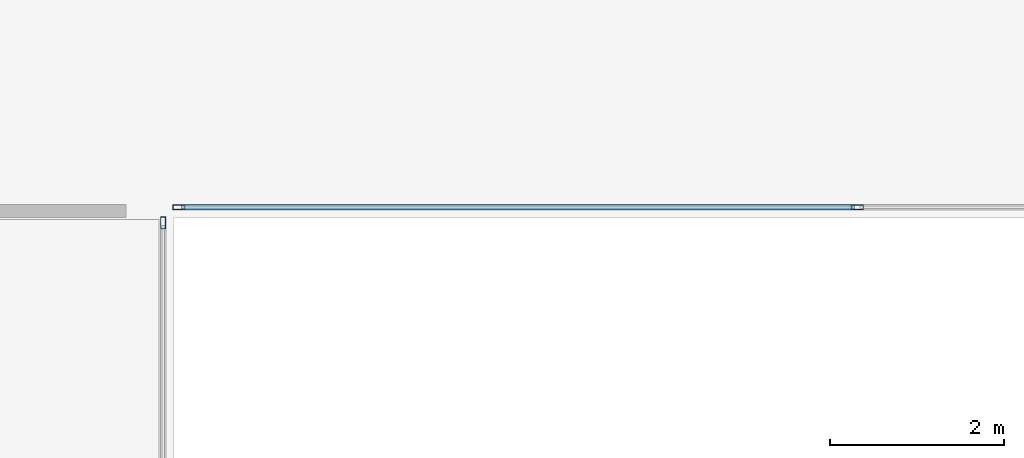
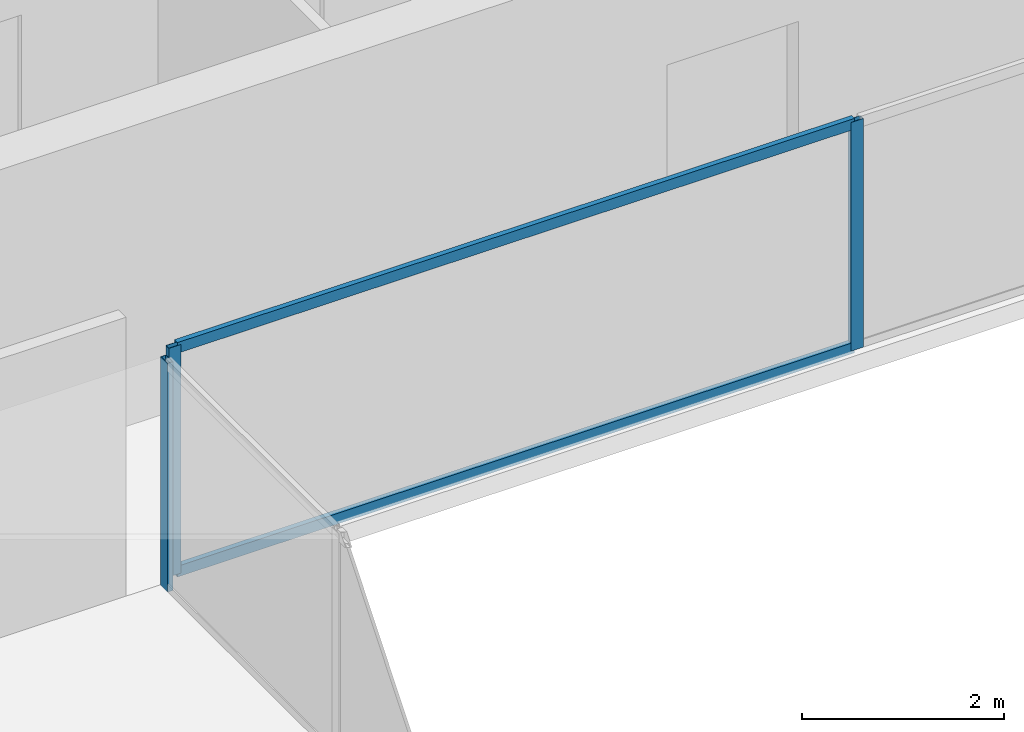
# One storey, part 10 of 28: 5 members, 2 elements without a shape of their own.
"""IFC4 building model written with IfcOpenShell, lengths in metres."""

from ifc_helpers import new_model, si_unit, direction, frame, origin, origin_2d, place, context, subcontext, project, spatial, hollow_rectangle, extrude, source, transform, mapped, material, layer, layer_set, material_profile, profile_set, type_object, element, aggregate, save


model = new_model("IFC4")

# Units and contexts
model_context = context("Model", 3, precision=1e-05, world=origin(), true_north=direction((0.0, 1.0)))
body_context = subcontext(model_context, "Body", "Model", "MODEL_VIEW")
ifc_project = project(units=[si_unit("LENGTHUNIT", "METRE"), si_unit("AREAUNIT", "SQUARE_METRE"), si_unit("VOLUMEUNIT", "CUBIC_METRE"), si_unit("PLANEANGLEUNIT", "RADIAN"), si_unit("MASSUNIT", "GRAM", prefix="KILO")], contexts=[model_context])

# Site, building, storey
site_placement = place(None, origin())
site = spatial("IfcSite", under=ifc_project, at=site_placement, CompositionType="ELEMENT")
building_placement = place(site_placement, origin())
building = spatial("IfcBuilding", under=site, at=building_placement, Name="Sumidabori Civic Tower", CompositionType="ELEMENT")
storey_placement = place(building_placement, frame((0.0, 0.0, 210.800048828125)))
storey = spatial("IfcBuildingStorey", under=building, at=storey_placement, Name="L54", CompositionType="ELEMENT", Elevation=210.800048828125)

# Curtain wall, member
ifc_material = material(Name="Anodised Bronze Aluminium AW-6063-T6", Category="aluminium")
ifc_layer = layer(ifc_material, 0.179931640625, Name="Anodised Bronze Aluminium AW-6063-T6")
ifc_layer_set = layer_set([ifc_layer], Name="Anodised Bronze Aluminium AW-6063-T6")
curtain_wall_type = type_object("IfcCurtainWallType", Name="CW-SYS-4", PredefinedType="NOTDEFINED", material=ifc_layer_set)
curtain_wall_1_placement = place(storey_placement, origin())
curtain_wall_1 = element("IfcCurtainWall", 1, at=curtain_wall_1_placement, inside=storey, type_object=curtain_wall_type, Name="Curtain Wall CW:L54:R04", PredefinedType="NOTDEFINED")
ifc_material_profile_1 = material_profile(ifc_material, hollow_rectangle(XDim=0.06005859375, YDim=0.139892578125, WallThickness=0.0048828125, at=origin_2d()), Name="ALU MULLION 140x60")
ifc_profile_set_1 = profile_set([ifc_material_profile_1], Name="Anodised Bronze Aluminium AW-6063-T6")
member_type_1 = type_object("IfcMemberType", Name="CW-MUL-140", PredefinedType="MULLION", material=ifc_profile_set_1)
shared_shape_1 = source(origin(), body_context, "Body", "SweptSolid", [
    extrude(hollow_rectangle(XDim=0.06005859375, YDim=0.139892578125, WallThickness=0.0048828125, at=origin_2d()), origin(), (0.0, 0.0, 1.0), 2.760009765625),
])
member_1_placement = place(storey_placement, frame((-7.969970703125, 7.340087890625, 0.0), z_axis=(0.0, 0.0, 1.0), x_axis=(-1.0, 0.0, 0.0)))
member_1 = element("IfcMember", 2, at=member_1_placement, type_object=member_type_1, Name="CW-4 mullion 3", PredefinedType="MULLION", context=body_context, shape_type="MappedRepresentation", body=[
    mapped(shared_shape_1, transform((0.0, 0.0, 0.0), x_axis=(1.0, 0.0, 0.0), y_axis=(0.0, 1.0, 0.0), z_axis=(0.0, 0.0, 1.0), scale=1.0)),
])
aggregate(curtain_wall_1, [member_1])

# Curtain wall, members
curtain_wall_2_placement = place(storey_placement, origin())
curtain_wall_2 = element("IfcCurtainWall", 3, at=curtain_wall_2_placement, inside=storey, type_object=curtain_wall_type, Name="Curtain Wall CW:L54:R05", PredefinedType="NOTDEFINED")
member_2_placement = place(storey_placement, frame((-7.7900390625, 7.52001953125, 0.0), z_axis=(0.0, 0.0, 1.0), x_axis=(0.0, 1.0, 0.0)))
member_2 = element("IfcMember", 4, at=member_2_placement, type_object=member_type_1, Name="CW-4 mullion 1", PredefinedType="MULLION", context=body_context, shape_type="MappedRepresentation", body=[
    mapped(shared_shape_1, transform((0.0, 0.0, 0.0), x_axis=(1.0, 0.0, 0.0), y_axis=(0.0, 1.0, 0.0), z_axis=(0.0, 0.0, 1.0), scale=1.0)),
])
member_3_placement = place(storey_placement, frame((0.0, 7.52001953125, 0.0), z_axis=(0.0, 0.0, 1.0), x_axis=(0.0, 1.0, 0.0)))
member_3 = element("IfcMember", 5, at=member_3_placement, type_object=member_type_1, Name="CW-4 mullion 2", PredefinedType="MULLION", context=body_context, shape_type="MappedRepresentation", body=[
    mapped(shared_shape_1, transform((0.0, 0.0, 0.0), x_axis=(1.0, 0.0, 0.0), y_axis=(0.0, 1.0, 0.0), z_axis=(0.0, 0.0, 1.0), scale=1.0)),
])
ifc_material_profile_2 = material_profile(ifc_material, hollow_rectangle(XDim=0.06005859375, YDim=0.1298828125, WallThickness=0.0048828125, at=origin_2d()), Name="ALU TRANSOM 130x60")
ifc_profile_set_2 = profile_set([ifc_material_profile_2], Name="Anodised Bronze Aluminium AW-6063-T6")
member_type_2 = type_object("IfcMemberType", Name="CW-TRN-130", PredefinedType="USERDEFINED", material=ifc_profile_set_2)
shared_shape_2 = source(origin(), body_context, "Body", "SweptSolid", [
    extrude(hollow_rectangle(XDim=0.06005859375, YDim=0.1298828125, WallThickness=0.0048828125, at=origin_2d()), origin(), (0.0, 0.0, 1.0), 7.72998046875),
])
member_4_placement = place(storey_placement, frame((-7.760009765625, 7.52001953125, 0.030029296875), z_axis=(1.0, 0.0, 0.0), x_axis=(0.0, 1.0, 0.0)))
member_4 = element("IfcMember", 6, at=member_4_placement, type_object=member_type_2, Name="CW-4 transom 1.1", ObjectType="TRANSOM", PredefinedType="USERDEFINED", context=body_context, shape_type="MappedRepresentation", body=[
    mapped(shared_shape_2, transform((0.0, 0.0, 0.0), x_axis=(1.0, 0.0, 0.0), y_axis=(0.0, 1.0, 0.0), z_axis=(0.0, 0.0, 1.0), scale=1.0)),
])
member_5_placement = place(storey_placement, frame((-7.760009765625, 7.52001953125, 2.72998046875), z_axis=(1.0, 0.0, 0.0), x_axis=(0.0, 1.0, 0.0)))
member_5 = element("IfcMember", 7, at=member_5_placement, type_object=member_type_2, Name="CW-4 transom 1.2", ObjectType="TRANSOM", PredefinedType="USERDEFINED", context=body_context, shape_type="MappedRepresentation", body=[
    mapped(shared_shape_2, transform((0.0, 0.0, 0.0), x_axis=(1.0, 0.0, 0.0), y_axis=(0.0, 1.0, 0.0), z_axis=(0.0, 0.0, 1.0), scale=1.0)),
])
aggregate(curtain_wall_2, [member_2, member_3, member_4, member_5])

save(model, "model.ifc")
